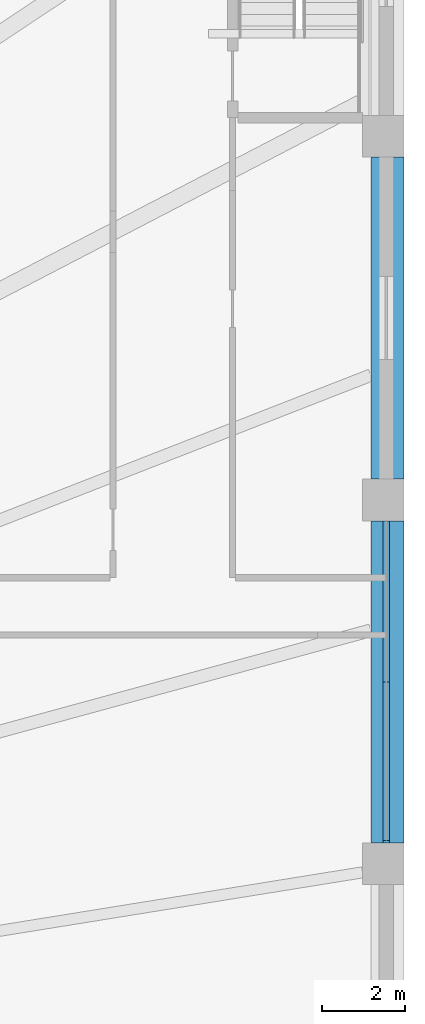
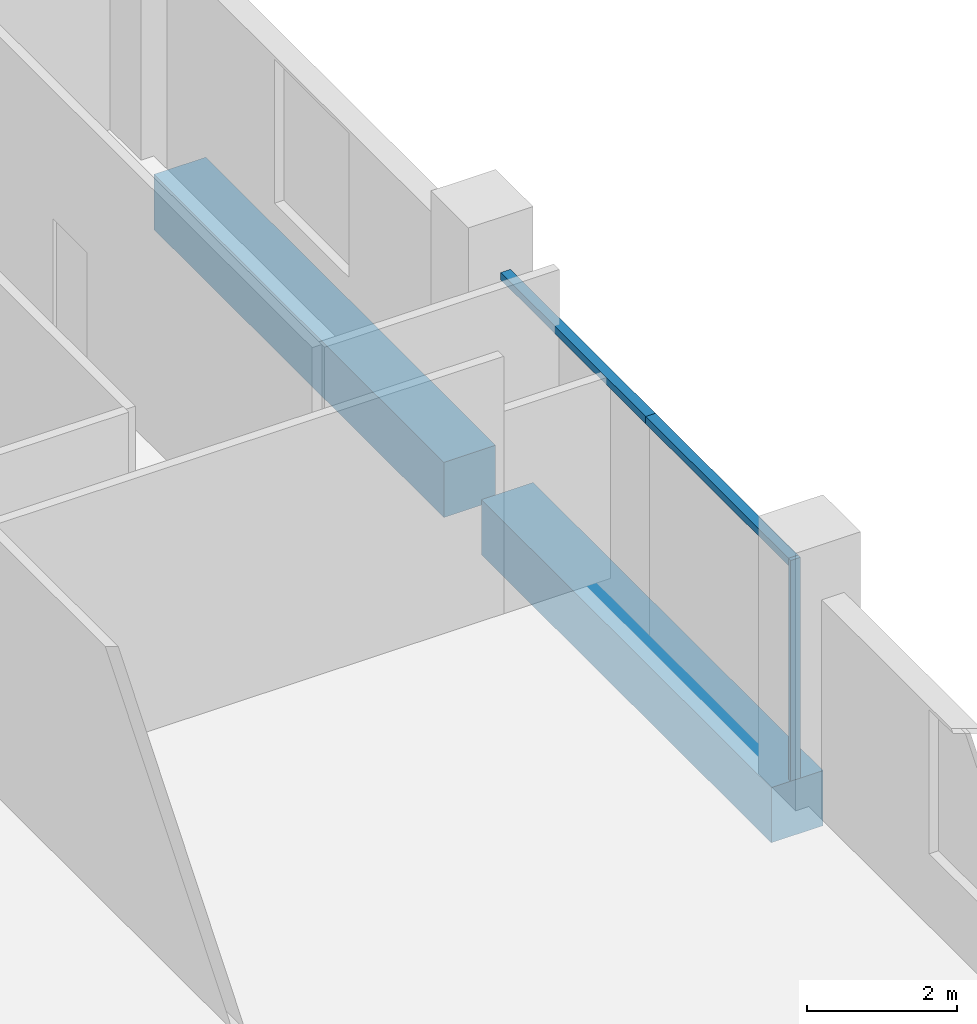
# One storey, part 10 of 29: 3 members, 2 beams, 1 element without a shape of its own.
"""IFC4 building model written with IfcOpenShell, lengths in metres."""

from ifc_helpers import new_model, si_unit, direction, frame, origin, origin_2d, place, context, subcontext, project, spatial, rectangle, extrude, material, layer, layer_set, material_profile, profile_set, type_object, element, aggregate, save


model = new_model("IFC4")

# Units and contexts
model_context = context("Model", 3, precision=1e-05, world=origin(), true_north=direction((0.0, 1.0)))
body_context = subcontext(model_context, "Body", "Model", "MODEL_VIEW")
ifc_project = project(units=[si_unit("LENGTHUNIT", "METRE"), si_unit("AREAUNIT", "SQUARE_METRE"), si_unit("VOLUMEUNIT", "CUBIC_METRE"), si_unit("PLANEANGLEUNIT", "RADIAN"), si_unit("MASSUNIT", "GRAM", prefix="KILO")], contexts=[model_context])

# Site, building, storey
site_placement = place(None, origin())
site = spatial("IfcSite", under=ifc_project, at=site_placement, CompositionType="ELEMENT")
building_placement = place(site_placement, origin())
building = spatial("IfcBuilding", under=site, at=building_placement, Name="Isthmus Gate Tower", CompositionType="ELEMENT")
storey_placement = place(building_placement, frame((0.0, 0.0, 27.0)))
storey = spatial("IfcBuildingStorey", under=building, at=storey_placement, Name="L04", CompositionType="ELEMENT", Elevation=27.0)

# Curtain wall, members
ifc_material_1 = material(Name="Aluminium, pale champagne anodised", Category="aluminium")
ifc_layer = layer(ifc_material_1, 0.14990234375)
ifc_layer_set = layer_set([ifc_layer], Name="CW-3 STOREFRONT CURTAIN WALL 150 DEEP")
curtain_wall_type = type_object("IfcCurtainWallType", Name="CW-3 STOREFRONT CURTAIN WALL 150 DEEP", PredefinedType="NOTDEFINED", material=ifc_layer_set)
curtain_wall_placement = place(storey_placement, origin())
curtain_wall = element("IfcCurtainWall", 1, at=curtain_wall_placement, inside=storey, type_object=curtain_wall_type, Name="CW-3 E L04", PredefinedType="NOTDEFINED")
ifc_material_2 = material(Name="Aluminium, pale champagne anodised", Category="aluminium")
ifc_material_profile_1 = material_profile(ifc_material_2, rectangle(XDim=0.06005859375, YDim=0.14990234375, at=origin_2d()), Name="60x150")
ifc_profile_set_1 = profile_set([ifc_material_profile_1], Name="Aluminium, pale champagne anodised")
member_type_1 = type_object("IfcMemberType", Name="CW-3 MULLION 60 X 150", PredefinedType="MULLION", material=ifc_profile_set_1)
member_1_placement = place(storey_placement, frame((51.574951171875, 9.280029296875, -0.300048828125), z_axis=(0.0, 0.0, 1.0), x_axis=(0.0, 1.0, 0.0)))
member_1 = element("IfcMember", 2, at=member_1_placement, type_object=member_type_1, Name="CW-3 mullion", PredefinedType="MULLION", context=body_context, shape_type="SweptSolid", body=[
    extrude(rectangle(XDim=0.06005859375, YDim=0.14990234375, at=origin_2d()), origin(), (0.0, 0.0, 1.0), 3.60009765625),
])
ifc_material_3 = material(Name="Aluminium, pale champagne anodised", Category="aluminium")
ifc_material_profile_2 = material_profile(ifc_material_3, rectangle(XDim=0.14990234375, YDim=0.1201171875, at=origin_2d()), Name="150x120")
ifc_profile_set_2 = profile_set([ifc_material_profile_2], Name="Aluminium, pale champagne anodised")
member_type_2 = type_object("IfcMemberType", Name="CW-3 TRANSOM 150 X 120", PredefinedType="USERDEFINED", material=ifc_profile_set_2)
member_2_placement = place(storey_placement, frame((51.574951171875, 9.31005859375, 3.239990234375), z_axis=(0.0, 1.0, 0.0), x_axis=(-1.0, 0.0, 0.0)))
member_2 = element("IfcMember", 3, at=member_2_placement, type_object=member_type_2, Name="CW-3 transom", ObjectType="TRANSOM", PredefinedType="USERDEFINED", context=body_context, shape_type="SweptSolid", body=[
    extrude(rectangle(XDim=0.14990234375, YDim=0.1201171875, at=origin_2d()), origin(), (0.0, 0.0, 1.0), 3.81494140625),
])
member_3_placement = place(storey_placement, frame((51.574951171875, 13.125, 3.239990234375), z_axis=(0.0, 1.0, 0.0), x_axis=(-1.0, 0.0, 0.0)))
member_3 = element("IfcMember", 4, at=member_3_placement, type_object=member_type_2, Name="CW-3 transom", ObjectType="TRANSOM", PredefinedType="USERDEFINED", context=body_context, shape_type="SweptSolid", body=[
    extrude(rectangle(XDim=0.14990234375, YDim=0.1201171875, at=origin_2d()), origin(), (0.0, 0.0, 1.0), 3.875),
])
aggregate(curtain_wall, [member_1, member_2, member_3])

# Beams
ifc_material_4 = material(Name="Concrete f'c 70 MPa", Category="concrete")
ifc_material_profile_3 = material_profile(ifc_material_4, rectangle(XDim=0.800048828125, YDim=0.89990234375, at=origin_2d()), Name="RC 800X900")
ifc_profile_set_3 = profile_set([ifc_material_profile_3], Name="Concrete f'c 70 MPa")
beam_type = type_object("IfcBeamType", Name="RC EDGE BEAM 800 X 900", PredefinedType="BEAM", material=ifc_profile_set_3)
for number, where, z_axis, x_axis, name in (
    (5, (51.60009765625, 25.75, -0.75), (0.0, -1.0, 0.0), (1.0, 0.0, 0.0), "str-edgebeam-L04-21"),
    (6, (51.60009765625, 17.0, -0.75), (0.0, -1.0, 0.0), (1.0, 0.0, 0.0), "str-edgebeam-L04-22"),
):
    element("IfcBeam", number, at=place(storey_placement, frame(where, z_axis=z_axis, x_axis=x_axis)), inside=storey, type_object=beam_type, Name=name, PredefinedType="BEAM", context=body_context, shape_type="SweptSolid", body=[
        extrude(rectangle(XDim=0.800048828125, YDim=0.89990234375, at=origin_2d()), origin(), (0.0, 0.0, 1.0), 7.75),
    ])

save(model, "model.ifc")
